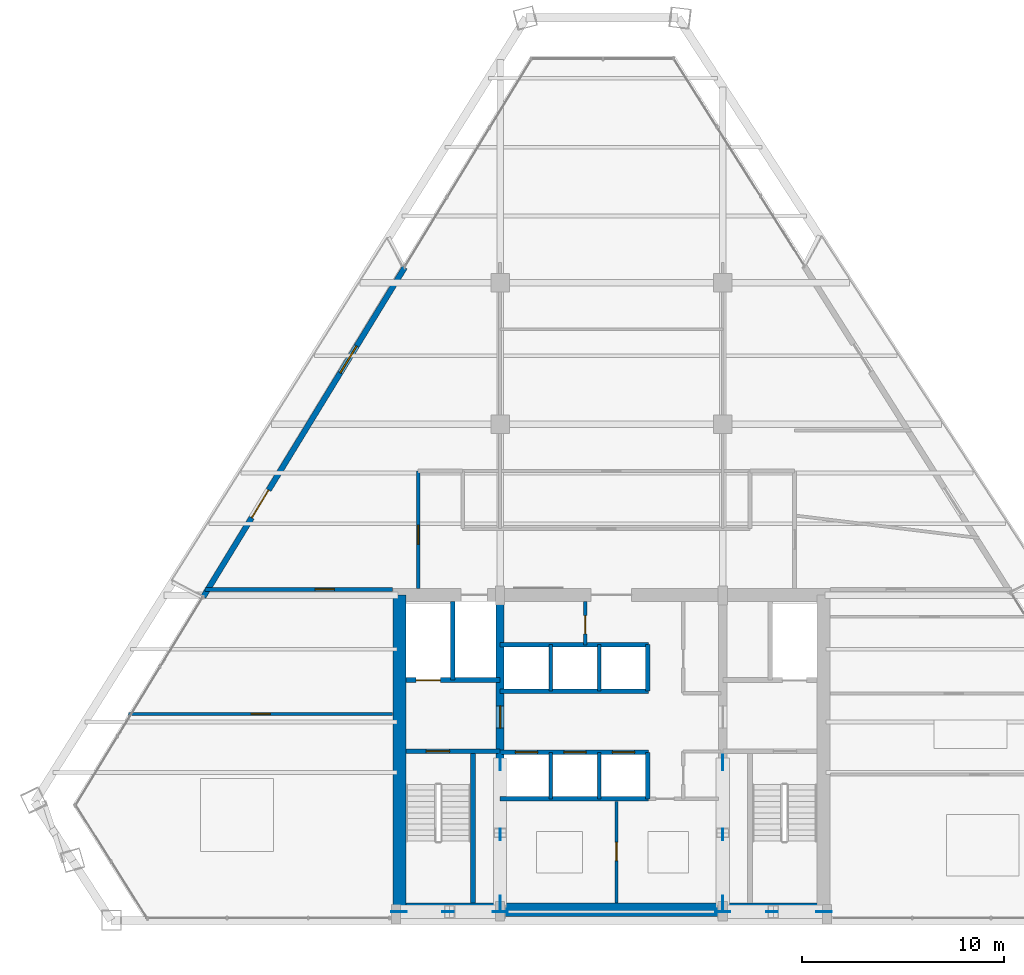
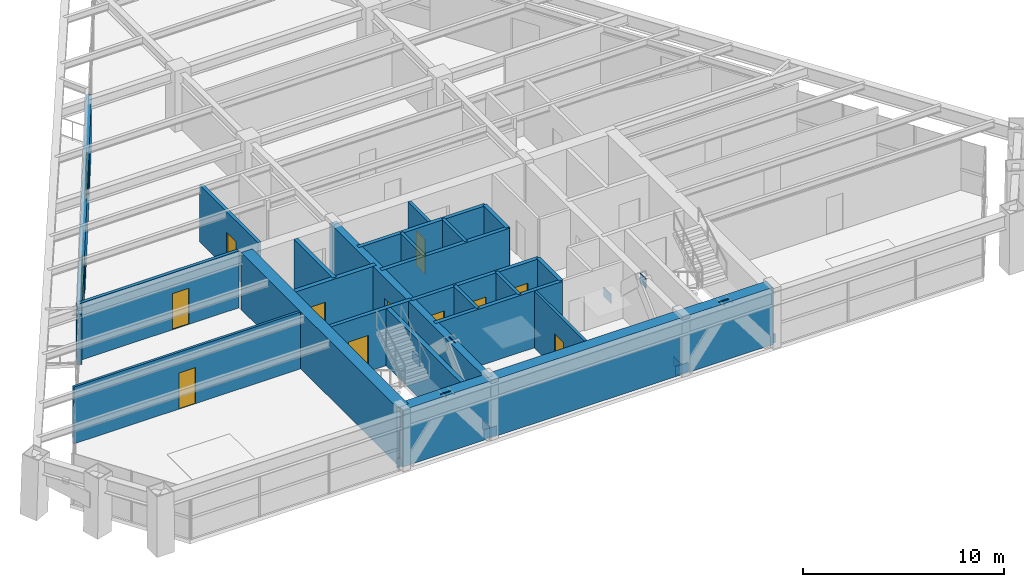
# One storey, part 9 of 13: 23 walls, 12 doors, 12 plates, 1 window, 13 openings.
"""IFC4 building model written with IfcOpenShell, lengths in metres."""

from ifc_helpers import new_model, si_unit, direction, frame, frame_2d, origin, origin_2d, place, context, subcontext, project, spatial, rectangle, extrude, source, transform, mapped, material, layer, layer_set, type_object, type_shapes, element, fill, save


model = new_model("IFC4")

# Units and contexts
model_context = context("Model", 3, precision=1e-05, world=origin(), true_north=direction((0.0, 1.0)))
body_context = subcontext(model_context, "Body", "Model", "MODEL_VIEW")
ifc_project = project(units=[si_unit("LENGTHUNIT", "METRE"), si_unit("AREAUNIT", "SQUARE_METRE"), si_unit("VOLUMEUNIT", "CUBIC_METRE"), si_unit("PLANEANGLEUNIT", "RADIAN"), si_unit("MASSUNIT", "GRAM", prefix="KILO")], contexts=[model_context])

# Site, building, storey
site_placement = place(None, origin())
site = spatial("IfcSite", under=ifc_project, at=site_placement, CompositionType="ELEMENT")
building_placement = place(site_placement, origin())
building = spatial("IfcBuilding", under=site, at=building_placement, Name="Varnakhor Terracotta Tower", CompositionType="ELEMENT")
storey_placement = place(building_placement, frame((0.0, 0.0, 200.60009765625)))
storey = spatial("IfcBuildingStorey", under=building, at=storey_placement, Name="L51", CompositionType="ELEMENT", Elevation=200.60009765625)

# Plates
ifc_material_1 = material(Name="Steel S460", Category="steel")
ifc_layer_1 = layer(ifc_material_1, 0.050048828125, Name="Steel S460")
ifc_layer_set_1 = layer_set([ifc_layer_1], Name="Steel S460")
plate_type = type_object("IfcPlateType", Name="PLT-GUSSET-50", PredefinedType="USERDEFINED", material=ifc_layer_set_1)
shared_shape_1 = source(origin(), body_context, "Body", "SweptSolid", [
    extrude(rectangle(XDim=0.75, YDim=0.0400390625, at=origin_2d()), origin(), (0.0, 0.0, 1.0), 0.550048828125),
])
type_shapes(plate_type, [shared_shape_1])
for number, where, z_axis, x_axis, name in (
    (1, (-10.5, 0.419921875, -0.09521484375), (0.0, 0.0, 1.0), (1.0, 0.0, 0.0), "L51 Core Brace Embed Plate CSWA"),
    (2, (-5.5, 0.419921875, -0.09521484375), (0.0, 0.0, 1.0), (1.0, 0.0, 0.0), "L51 Core Brace Embed Plate CSWB"),
    (3, (5.5, 0.419921875, -0.09521484375), (0.0, 0.0, 1.0), (1.0, 0.0, 0.0), "L51 Core Brace Embed Plate CSEA"),
    (4, (10.5, 0.419921875, -0.09521484375), (0.0, 0.0, 1.0), (1.0, 0.0, 0.0), "L51 Core Brace Embed Plate CSEB"),
    (5, (-5.5, 0.85009765625, -0.09521484375), (0.0, 0.0, 1.0), (0.0, 1.0, 0.0), "L51 Core Brace Embed Plate CWWA"),
    (6, (-5.5, 7.800048828125, -0.09521484375), (0.0, 0.0, 1.0), (0.0, 1.0, 0.0), "L51 Core Brace Embed Plate CWWB"),
    (7, (5.5, 0.85009765625, -0.09521484375), (0.0, 0.0, 1.0), (0.0, 1.0, 0.0), "L51 Core Brace Embed Plate CWEA"),
    (8, (5.5, 7.800048828125, -0.09521484375), (0.0, 0.0, 1.0), (0.0, 1.0, 0.0), "L51 Core Brace Embed Plate CWEB"),
):
    element("IfcPlate", number, at=place(storey_placement, frame(where, z_axis=z_axis, x_axis=x_axis)), inside=storey, type_object=plate_type, Name=name, ObjectType="GUSSET PLATE", PredefinedType="USERDEFINED", context=body_context, shape_type="MappedRepresentation", body=[
        mapped(shared_shape_1, transform((0.0, 0.0, 0.0), scale=1.0)),
    ])
shared_shape_2 = source(origin(), body_context, "Body", "SweptSolid", [
    extrude(rectangle(XDim=0.580078125, YDim=0.0400390625, at=origin_2d()), origin(), (0.0, 0.0, 1.0), 0.580078125),
])
for number, where, z_axis, x_axis, name in (
    (9, (-8.072265625, 0.419921875, 2.93408203125), (0.0, 0.0, 1.0), (1.0, 0.0, 0.0), "L51 Brace End Connection Plate 188"),
    (10, (7.927734375, 0.419921875, 2.93408203125), (0.0, 0.0, 1.0), (1.0, 0.0, 0.0), "L51 Brace End Connection Plate 189"),
    (11, (-5.5, 4.23828125, 2.947021484375), (0.0, 0.0, 1.0), (0.0, 1.0, 0.0), "L51 Brace End Connection Plate 190"),
    (12, (5.5, 4.23828125, 2.947021484375), (0.0, 0.0, 1.0), (0.0, 1.0, 0.0), "L51 Brace End Connection Plate 191"),
):
    element("IfcPlate", number, at=place(storey_placement, frame(where, z_axis=z_axis, x_axis=x_axis)), inside=storey, type_object=plate_type, Name=name, ObjectType="GUSSET PLATE", PredefinedType="USERDEFINED", context=body_context, shape_type="MappedRepresentation", body=[
        mapped(shared_shape_2, transform((0.0, 0.0, 0.0), scale=1.0)),
    ])

# Walls
ifc_material_2 = material(Name="Concrete C50/60", Category="concrete")
ifc_layer_2 = layer(ifc_material_2, 0.64990234375, Name="Concrete C50/60")
ifc_layer_set_2 = layer_set([ifc_layer_2], Name="Concrete C50/60")
wall_type_1 = type_object("IfcWallType", Name="WAL-CORE-650", PredefinedType="SHEAR", material=ifc_layer_set_2)
wall_1_placement = place(storey_placement, frame((-10.64990234375, 0.52490234375, 0.0), z_axis=(0.0, 0.0, 1.0), x_axis=(1.0, 0.0, 0.0)))
element("IfcWall", 13, at=wall_1_placement, inside=storey, type_object=wall_type_1, Name="L51 South Core Shear Wall", PredefinedType="SHEAR", context=body_context, shape_type="SweptSolid", body=[
    extrude(rectangle(XDim=21.2998046875, YDim=0.64990234375, at=frame_2d((10.64990234375, 0.0))), origin(), (0.0, 0.0, 1.0), 3.469970703125),
])
wall_2_placement = place(storey_placement, frame((-10.47509765625, 0.52490234375, 0.0), z_axis=(0.0, 0.0, 1.0), x_axis=(0.0, 1.0, 0.0)))
element("IfcWall", 14, at=wall_2_placement, inside=storey, type_object=wall_type_1, Name="L51 West Core Shear Wall", PredefinedType="SHEAR", context=body_context, shape_type="SweptSolid", body=[
    extrude(rectangle(XDim=15.550048828125, YDim=0.64990234375, at=frame_2d((7.77490234375, 0.0))), origin(), (0.0, 0.0, 1.0), 3.469970703125),
])

# Wall, opening, door
ifc_layer_3 = layer(ifc_material_2, 0.39990234375, Name="Concrete C50/60")
ifc_layer_set_3 = layer_set([ifc_layer_3], Name="Concrete C50/60")
wall_type_2 = type_object("IfcWallType", Name="WAL-CORE-WEB-400", PredefinedType="SHEAR", material=ifc_layer_set_3)
wall_3_placement = place(storey_placement, frame((-5.5, 0.52490234375, 0.0), z_axis=(0.0, 0.0, 1.0), x_axis=(0.0, 1.0, 0.0)))
wall_3 = element("IfcWall", 15, at=wall_3_placement, inside=storey, type_object=wall_type_2, Name="L51 West Core Web Shear Wall", PredefinedType="SHEAR", context=body_context, shape_type="SweptSolid", body=[
    extrude(rectangle(XDim=15.550048828125, YDim=0.39990234375, at=frame_2d((7.77490234375, 0.0))), origin(), (0.0, 0.0, 1.0), 3.469970703125),
])
opening_1_placement = place(wall_3_placement, frame((8.97509765625, 0.0, 0.0)))
opening_1 = element("IfcOpeningElement", 16, at=opening_1_placement, cuts=wall_3, Name="Opening DR-25", PredefinedType="OPENING", context=body_context, shape_type="SweptSolid", body=[
    extrude(rectangle(XDim=1.10009765625, YDim=2.199951171875, at=frame_2d((0.550048828125, 1.10009765625))), frame((0.0, 0.2099609375, 0.0), z_axis=(0.0, -1.0, 0.0), x_axis=(1.0, 0.0, 0.0)), (0.0, 0.0, 1.0), 0.419921875),
])
ifc_material_3 = material(Name="Firefighting Lobby Self-Closing Fire Door", Category="steel")
door_type_1 = type_object("IfcDoorType", Name="DR-FFL-1100X2200", OperationType="NOTDEFINED", PredefinedType="DOOR", material=ifc_material_3)
shared_shape_3 = source(origin(), body_context, "Body", "SweptSolid", [
    extrude(rectangle(XDim=1.10009765625, YDim=2.199951171875, at=frame_2d((0.550048828125, 1.10009765625))), frame((0.0, 0.02490234375, 0.0), z_axis=(0.0, -1.0, 0.0), x_axis=(1.0, 0.0, 0.0)), (0.0, 0.0, 1.0), 0.050048828125),
])
type_shapes(door_type_1, [shared_shape_3])
door_1_placement = place(opening_1_placement, origin())
door_1 = element("IfcDoor", 17, at=door_1_placement, inside=storey, type_object=door_type_1, Name="L51 West Firefighting Lobby Door", OperationType="SINGLE_SWING_LEFT", OverallHeight=2.199951171875, OverallWidth=1.10009765625, PredefinedType="DOOR", context=body_context, shape_type="MappedRepresentation", body=[
    mapped(shared_shape_3, transform((0.0, 0.0, 0.0), scale=1.0)),
])
fill(opening_1, door_1)

ifc_material_4 = material(Name="Fire-Rated Gypsum Stud Partition", Category="gypsum")
ifc_layer_4 = layer(ifc_material_4, 0.18505859375, Name="Fire-Rated Gypsum Stud Partition")
ifc_layer_set_4 = layer_set([ifc_layer_4], Name="Fire-Rated Gypsum Stud Partition")
wall_type_3 = type_object("IfcWallType", Name="WAL-CORR-185", PredefinedType="PARTITIONING", material=ifc_layer_set_4)
wall_4_placement = place(storey_placement, frame((-9.550048828125, 16.39990234375, 0.0), z_axis=(0.0, 0.0, 1.0), x_axis=(0.0, 1.0, 0.0)))
wall_4 = element("IfcWall", 18, at=wall_4_placement, inside=storey, type_object=wall_type_3, Name="L51 West Gallery Outer Wall", PredefinedType="PARTITIONING", context=body_context, shape_type="SweptSolid", body=[
    extrude(rectangle(XDim=5.800048828125, YDim=0.18505859375, at=frame_2d((2.89990234375, 0.0))), origin(), (0.0, 0.0, 1.0), 3.4619140625),
])
opening_2_placement = place(wall_4_placement, frame((2.1689453125, 0.0, 0.0)))
opening_2 = element("IfcOpeningElement", 19, at=opening_2_placement, cuts=wall_4, Name="Opening DR-94", PredefinedType="OPENING", context=body_context, shape_type="SweptSolid", body=[
    extrude(rectangle(XDim=0.949951171875, YDim=2.199951171875, at=frame_2d((0.47509765625, 1.10009765625))), frame((0.0, 0.1025390625, 0.0), z_axis=(0.0, -1.0, 0.0), x_axis=(1.0, 0.0, 0.0)), (0.0, 0.0, 1.0), 0.205078125),
])
ifc_material_5 = material(Name="Acoustic Glazed-Vision Timber Office Door", Category="wood")
door_type_2 = type_object("IfcDoorType", Name="DR-OFF-950X2200", OperationType="NOTDEFINED", PredefinedType="DOOR", material=ifc_material_5)
shared_shape_4 = source(origin(), body_context, "Body", "SweptSolid", [
    extrude(rectangle(XDim=0.949951171875, YDim=2.199951171875, at=frame_2d((0.47509765625, 1.10009765625))), frame((0.0, 0.02490234375, 0.0), z_axis=(0.0, -1.0, 0.0), x_axis=(1.0, 0.0, 0.0)), (0.0, 0.0, 1.0), 0.050048828125),
])
type_shapes(door_type_2, [shared_shape_4])
door_2_placement = place(opening_2_placement, origin())
door_2 = element("IfcDoor", 20, at=door_2_placement, inside=storey, type_object=door_type_2, Name="L51 West Wing Door", OperationType="SINGLE_SWING_RIGHT", OverallHeight=2.199951171875, OverallWidth=0.949951171875, PredefinedType="DOOR", context=body_context, shape_type="MappedRepresentation", body=[
    mapped(shared_shape_4, transform((0.0, 0.0, 0.0), scale=1.0)),
])
fill(opening_2, door_2)

wall_5_placement = place(storey_placement, frame((-20.09130859375, 16.35009765625, 0.0), z_axis=(0.0, 0.0, 1.0), x_axis=(1.0, 0.0, 0.0)))
wall_5 = element("IfcWall", 21, at=wall_5_placement, inside=storey, type_object=wall_type_3, Name="L51 South West Entry Wall", PredefinedType="PARTITIONING", context=body_context, shape_type="SweptSolid", body=[
    extrude(rectangle(XDim=9.271240234375, YDim=0.18505859375, at=frame_2d((4.6357421875, 0.0))), origin(), (0.0, 0.0, 1.0), 3.4619140625),
])
opening_3_placement = place(wall_5_placement, frame((5.449462890625, 0.0, 0.0)))
opening_3 = element("IfcOpeningElement", 22, at=opening_3_placement, cuts=wall_5, Name="Opening DR-94", PredefinedType="OPENING", context=body_context, shape_type="SweptSolid", body=[
    extrude(rectangle(XDim=0.949951171875, YDim=2.199951171875, at=frame_2d((0.47509765625, 1.10009765625))), frame((0.0, 0.1025390625, 0.0), z_axis=(0.0, -1.0, 0.0), x_axis=(1.0, 0.0, 0.0)), (0.0, 0.0, 1.0), 0.205078125),
])
door_3_placement = place(opening_3_placement, origin())
door_3 = element("IfcDoor", 23, at=door_3_placement, inside=storey, type_object=door_type_2, Name="L51 SW Suite Door", OperationType="SINGLE_SWING_RIGHT", OverallHeight=2.199951171875, OverallWidth=0.949951171875, PredefinedType="DOOR", context=body_context, shape_type="MappedRepresentation", body=[
    mapped(shared_shape_4, transform((0.0, 0.0, 0.0), scale=1.0)),
])
fill(opening_3, door_3)

# Wall, openings, door, window
ifc_material_6 = material(Name="Extruded Architectural Terracotta Assembly", Category="masonry")
ifc_layer_5 = layer(ifc_material_6, 0.280029296875, Name="Extruded Architectural Terracotta Assembly")
ifc_layer_set_5 = layer_set([ifc_layer_5], Name="Extruded Architectural Terracotta Assembly")
wall_type_4 = type_object("IfcWallType", Name="WAL-EXT-TERRACOTTA-280", PredefinedType="SOLIDWALL", material=ifc_layer_set_5)
wall_6_placement = place(storey_placement, frame((-20.16259765625, 15.984130859375, 0.0), z_axis=(0.0, 0.0, 1.0), x_axis=(0.521623449413, 0.853175818353, 0.0)))
wall_6 = element("IfcWall", 24, at=wall_6_placement, inside=storey, type_object=wall_type_4, Name="L51 W Loggia Insulated Terracotta Wall", PredefinedType="SOLIDWALL", context=body_context, shape_type="SweptSolid", body=[
    extrude(rectangle(XDim=19.072998046875, YDim=0.280029296875, at=frame_2d((9.53662109375, 0.0))), origin(), (0.0, 0.0, 1.0), 3.0498046875),
])
opening_4_placement = place(wall_6_placement, frame((4.57763671875, 0.0, 0.0)))
opening_4 = element("IfcOpeningElement", 25, at=opening_4_placement, cuts=wall_6, Name="Opening DR-62", PredefinedType="OPENING", context=body_context, shape_type="SweptSolid", body=[
    extrude(rectangle(XDim=1.60009765625, YDim=2.35009765625, at=frame_2d((0.800048828125, 1.175048828125))), frame((0.0, 0.14990234375, 0.0), z_axis=(0.0, -1.0, 0.0), x_axis=(1.0, 0.0, 0.0)), (0.0, 0.0, 1.0), 0.300048828125),
])
opening_5_placement = place(wall_6_placement, frame((12.9697265625, 0.0, 0.89990234375)))
opening_5 = element("IfcOpeningElement", 26, at=opening_5_placement, cuts=wall_6, Name="Opening WN-57", PredefinedType="OPENING", context=body_context, shape_type="SweptSolid", body=[
    extrude(rectangle(XDim=1.550048828125, YDim=1.85009765625, at=frame_2d((0.77490234375, 0.925048828125))), frame((0.0, 0.14990234375, 0.0), z_axis=(0.0, -1.0, 0.0), x_axis=(1.0, 0.0, 0.0)), (0.0, 0.0, 1.0), 0.300048828125),
])
ifc_material_7 = material(Name="Thermally Broken Sliding Glass Loggia Door", Category="glass")
door_type_3 = type_object("IfcDoorType", Name="DR-EXT-LOGGIA-1600X2350", OperationType="NOTDEFINED", PredefinedType="DOOR", material=ifc_material_7)
shared_shape_5 = source(origin(), body_context, "Body", "SweptSolid", [
    extrude(rectangle(XDim=1.60009765625, YDim=2.35009765625, at=frame_2d((0.800048828125, 1.175048828125))), frame((0.0, 0.02490234375, 0.0), z_axis=(0.0, -1.0, 0.0), x_axis=(1.0, 0.0, 0.0)), (0.0, 0.0, 1.0), 0.050048828125),
])
type_shapes(door_type_3, [shared_shape_5])
door_4_placement = place(opening_4_placement, origin())
door_4 = element("IfcDoor", 27, at=door_4_placement, inside=storey, type_object=door_type_3, Name="L51 W Recessed Loggia Sliding Door", OperationType="SLIDING_TO_LEFT", OverallHeight=2.35009765625, OverallWidth=1.60009765625, PredefinedType="DOOR", context=body_context, shape_type="MappedRepresentation", body=[
    mapped(shared_shape_5, transform((0.0, 0.0, 0.0), scale=1.0)),
])
fill(opening_4, door_4)
ifc_material_8 = material(Name="Solar-Control Low-E Insulated Glass Unit", Category="glass")
window_type = type_object("IfcWindowType", Name="WIN-OFF-1650X2100", PartitioningType="SINGLE_PANEL", PredefinedType="WINDOW", material=ifc_material_8)
shared_shape_6 = source(origin(), body_context, "Body", "SweptSolid", [
    extrude(rectangle(XDim=1.550048828125, YDim=1.85009765625, at=frame_2d((0.77490234375, 0.925048828125))), frame((0.0, 0.030029296875, 0.0), z_axis=(0.0, -1.0, 0.0), x_axis=(1.0, 0.0, 0.0)), (0.0, 0.0, 1.0), 0.06005859375),
])
type_shapes(window_type, [shared_shape_6])
window_placement = place(opening_5_placement, origin())
window = element("IfcWindow", 28, at=window_placement, inside=storey, type_object=window_type, Name="L51 W Facet Punched Window", OverallHeight=1.85009765625, OverallWidth=1.550048828125, PartitioningType="SINGLE_PANEL", PredefinedType="WINDOW", context=body_context, shape_type="MappedRepresentation", body=[
    mapped(shared_shape_6, transform((0.0, 0.0, 0.0), scale=1.0)),
])
fill(opening_5, window)

# Wall, opening, door
ifc_material_9 = material(Name="Concrete C40/50", Category="concrete")
ifc_layer_6 = layer(ifc_material_9, 0.219970703125, Name="Concrete C40/50")
ifc_layer_set_6 = layer_set([ifc_layer_6], Name="Concrete C40/50")
wall_type_5 = type_object("IfcWallType", Name="WAL-FFLOBBY-220", PredefinedType="SOLIDWALL", material=ifc_layer_set_6)
wall_7_placement = place(storey_placement, frame((-5.5, 8.35009765625, 0.0), z_axis=(0.0, 0.0, 1.0), x_axis=(-1.0, 0.0, 0.0)))
wall_7 = element("IfcWall", 29, at=wall_7_placement, inside=storey, type_object=wall_type_5, Name="L51 West Firefighting Lobby Stair Wall", PredefinedType="SOLIDWALL", context=body_context, shape_type="SweptSolid", body=[
    extrude(rectangle(XDim=4.64990234375, YDim=0.219970703125, at=frame_2d((2.324951171875, 0.0))), origin(), (0.0, 0.0, 1.0), 3.469970703125),
])
opening_6_placement = place(wall_7_placement, frame((2.5, 0.0, 0.0)))
opening_6 = element("IfcOpeningElement", 30, at=opening_6_placement, cuts=wall_7, Name="Opening DR-34", PredefinedType="OPENING", context=body_context, shape_type="SweptSolid", body=[
    extrude(rectangle(XDim=1.14990234375, YDim=2.199951171875, at=frame_2d((0.574951171875, 1.10009765625))), frame((0.0, 0.1201171875, 0.0), z_axis=(0.0, -1.0, 0.0), x_axis=(1.0, 0.0, 0.0)), (0.0, 0.0, 1.0), 0.239990234375),
])
ifc_material_10 = material(Name="Self-Closing Smoke-Sealed Steel Fire Door", Category="steel")
door_type_4 = type_object("IfcDoorType", Name="DR-STAIR-1150X2200", OperationType="NOTDEFINED", PredefinedType="DOOR", material=ifc_material_10)
shared_shape_7 = source(origin(), body_context, "Body", "SweptSolid", [
    extrude(rectangle(XDim=1.14990234375, YDim=2.199951171875, at=frame_2d((0.574951171875, 1.10009765625))), frame((0.0, 0.02490234375, 0.0), z_axis=(0.0, -1.0, 0.0), x_axis=(1.0, 0.0, 0.0)), (0.0, 0.0, 1.0), 0.050048828125),
])
type_shapes(door_type_4, [shared_shape_7])
door_5_placement = place(opening_6_placement, origin())
door_5 = element("IfcDoor", 31, at=door_5_placement, inside=storey, type_object=door_type_4, Name="L51 Exit Stair ST-1 Fire Door", OperationType="SINGLE_SWING_RIGHT", OverallHeight=2.199951171875, OverallWidth=1.14990234375, PredefinedType="DOOR", context=body_context, shape_type="MappedRepresentation", body=[
    mapped(shared_shape_7, transform((0.0, 0.0, 0.0), scale=1.0)),
])
fill(opening_6, door_5)

ifc_material_11 = material(Name="Acoustic Metal-Stud Partition", Category="gypsum")
ifc_layer_7 = layer(ifc_material_11, 0.139892578125, Name="Acoustic Metal-Stud Partition")
ifc_layer_set_7 = layer_set([ifc_layer_7], Name="Acoustic Metal-Stud Partition")
wall_type_6 = type_object("IfcWallType", Name="WAL-PART-140", PredefinedType="PARTITIONING", material=ifc_layer_set_7)
wall_8_placement = place(storey_placement, frame((-23.851318359375, 10.199951171875, 0.0), z_axis=(0.0, 0.0, 1.0), x_axis=(1.0, 0.0, 0.0)))
wall_8 = element("IfcWall", 32, at=wall_8_placement, inside=storey, type_object=wall_type_6, Name="L51 West Wing Cut 1", PredefinedType="PARTITIONING", context=body_context, shape_type="SweptSolid", body=[
    extrude(rectangle(XDim=13.03125, YDim=0.139892578125, at=frame_2d((6.515625, 0.0))), origin(), (0.0, 0.0, 1.0), 3.4619140625),
])
opening_7_placement = place(wall_8_placement, frame((6.0458984375, 0.0, 0.0)))
opening_7 = element("IfcOpeningElement", 33, at=opening_7_placement, cuts=wall_8, Name="Opening DR-94", PredefinedType="OPENING", context=body_context, shape_type="SweptSolid", body=[
    extrude(rectangle(XDim=0.949951171875, YDim=2.199951171875, at=frame_2d((0.47509765625, 1.10009765625))), frame((0.0, 0.080078125, 0.0), z_axis=(0.0, -1.0, 0.0), x_axis=(1.0, 0.0, 0.0)), (0.0, 0.0, 1.0), 0.159912109375),
])
door_6_placement = place(opening_7_placement, origin())
door_6 = element("IfcDoor", 34, at=door_6_placement, inside=storey, type_object=door_type_2, Name="L51 Quiet Study Room Door", OperationType="SINGLE_SWING_RIGHT", OverallHeight=2.199951171875, OverallWidth=0.949951171875, PredefinedType="DOOR", context=body_context, shape_type="MappedRepresentation", body=[
    mapped(shared_shape_4, transform((0.0, 0.0, 0.0), scale=1.0)),
])
fill(opening_7, door_6)

# Walls
ifc_layer_8 = layer(ifc_material_9, 0.179931640625, Name="Concrete C40/50")
ifc_layer_set_8 = layer_set([ifc_layer_8], Name="Concrete C40/50")
wall_type_7 = type_object("IfcWallType", Name="WAL-SHAFT-180", PredefinedType="SOLIDWALL", material=ifc_layer_set_8)
for number, where, z_axis, x_axis, name in (
    (35, (-3.0, 6.0, 0.0), (0.0, 0.0, 1.0), (0.0, 1.0, 0.0), "L51 PL-2A Divider"),
    (36, (-0.60009765625, 6.0, 0.0), (0.0, 0.0, 1.0), (0.0, 1.0, 0.0), "L51 PL-2B Divider"),
    (37, (-3.0, 11.320068359375, 0.0), (0.0, 0.0, 1.0), (0.0, 1.0, 0.0), "L51 PL-3A Divider"),
    (38, (-0.60009765625, 11.320068359375, 0.0), (0.0, 0.0, 1.0), (0.0, 1.0, 0.0), "L51 PL-3B Divider"),
):
    element("IfcWall", number, at=place(storey_placement, frame(where, z_axis=z_axis, x_axis=x_axis)), inside=storey, type_object=wall_type_7, Name=name, PredefinedType="SOLIDWALL", context=body_context, shape_type="SweptSolid", body=[
        extrude(rectangle(XDim=2.300048828125, YDim=0.179931640625, at=frame_2d((1.14990234375, 0.0))), origin(), (0.0, 0.0, 1.0), 3.469970703125),
    ])
ifc_layer_9 = layer(ifc_material_9, 0.219970703125, Name="Concrete C40/50")
ifc_layer_set_9 = layer_set([ifc_layer_9], Name="Concrete C40/50")
wall_type_8 = type_object("IfcWallType", Name="WAL-SHAFT-220", PredefinedType="SOLIDWALL", material=ifc_layer_set_9)
wall_9_placement = place(storey_placement, frame((-7.840087890625, 11.8701171875, 0.0), z_axis=(0.0, 0.0, 1.0), x_axis=(0.0, 1.0, 0.0)))
element("IfcWall", 39, at=wall_9_placement, inside=storey, type_object=wall_type_8, Name="L51 Lift FFL-1 and SVL-1 Divider Wall", PredefinedType="SOLIDWALL", context=body_context, shape_type="SweptSolid", body=[
    extrude(rectangle(XDim=3.8798828125, YDim=0.219970703125, at=frame_2d((1.93994140625, 0.0))), origin(), (0.0, 0.0, 1.0), 3.469970703125),
])
wall_10_placement = place(storey_placement, frame((-5.5, 6.0, 0.0), z_axis=(0.0, 0.0, 1.0), x_axis=(1.0, 0.0, 0.0)))
element("IfcWall", 40, at=wall_10_placement, inside=storey, type_object=wall_type_8, Name="L51 Bank 2 South Shaft Wall", PredefinedType="SOLIDWALL", context=body_context, shape_type="SweptSolid", body=[
    extrude(rectangle(XDim=7.320068359375, YDim=0.219970703125, at=frame_2d((3.66015625, 0.0))), origin(), (0.0, 0.0, 1.0), 3.469970703125),
])

# Wall, openings, doors
wall_11_placement = place(storey_placement, frame((-5.5, 8.300048828125, 0.0), z_axis=(0.0, 0.0, 1.0), x_axis=(1.0, 0.0, 0.0)))
wall_11 = element("IfcWall", 41, at=wall_11_placement, inside=storey, type_object=wall_type_8, Name="L51 Bank 2 North Shaft Wall", PredefinedType="SOLIDWALL", context=body_context, shape_type="SweptSolid", body=[
    extrude(rectangle(XDim=7.320068359375, YDim=0.219970703125, at=frame_2d((3.66015625, 0.0))), origin(), (0.0, 0.0, 1.0), 3.469970703125),
])
opening_8_placement = place(wall_11_placement, frame((0.75, 0.0, 0.0)))
opening_8 = element("IfcOpeningElement", 42, at=opening_8_placement, cuts=wall_11, Name="Opening LD-01", PredefinedType="OPENING", context=body_context, shape_type="SweptSolid", body=[
    extrude(rectangle(XDim=1.10009765625, YDim=2.199951171875, at=frame_2d((0.550048828125, 1.10009765625))), frame((0.0, 0.1201171875, 0.0), z_axis=(0.0, -1.0, 0.0), x_axis=(1.0, 0.0, 0.0)), (0.0, 0.0, 1.0), 0.239990234375),
])
opening_9_placement = place(wall_11_placement, frame((3.14990234375, 0.0, 0.0)))
opening_9 = element("IfcOpeningElement", 43, at=opening_9_placement, cuts=wall_11, Name="Opening LD-01", PredefinedType="OPENING", context=body_context, shape_type="SweptSolid", body=[
    extrude(rectangle(XDim=1.10009765625, YDim=2.199951171875, at=frame_2d((0.550048828125, 1.10009765625))), frame((0.0, 0.1201171875, 0.0), z_axis=(0.0, -1.0, 0.0), x_axis=(1.0, 0.0, 0.0)), (0.0, 0.0, 1.0), 0.239990234375),
])
opening_10_placement = place(wall_11_placement, frame((5.550048828125, 0.0, 0.0)))
opening_10 = element("IfcOpeningElement", 44, at=opening_10_placement, cuts=wall_11, Name="Opening LD-01", PredefinedType="OPENING", context=body_context, shape_type="SweptSolid", body=[
    extrude(rectangle(XDim=1.10009765625, YDim=2.199951171875, at=frame_2d((0.550048828125, 1.10009765625))), frame((0.0, 0.1201171875, 0.0), z_axis=(0.0, -1.0, 0.0), x_axis=(1.0, 0.0, 0.0)), (0.0, 0.0, 1.0), 0.239990234375),
])
ifc_material_12 = material(Name="Brushed Stainless Steel Sliding Lift Landing Door", Category="steel")
door_type_5 = type_object("IfcDoorType", Name="LD-PASS-1100X2200", OperationType="NOTDEFINED", PredefinedType="DOOR", material=ifc_material_12)
shared_shape_8 = source(origin(), body_context, "Body", "SweptSolid", [
    extrude(rectangle(XDim=1.10009765625, YDim=2.199951171875, at=frame_2d((0.550048828125, 1.10009765625))), frame((0.0, 0.02490234375, 0.0), z_axis=(0.0, -1.0, 0.0), x_axis=(1.0, 0.0, 0.0)), (0.0, 0.0, 1.0), 0.050048828125),
])
type_shapes(door_type_5, [shared_shape_8])
door_7_placement = place(opening_8_placement, origin())
door_7 = element("IfcDoor", 45, at=door_7_placement, inside=storey, type_object=door_type_5, Name="L51 Passenger Lift PL-2A Landing Door", OperationType="SLIDING_TO_LEFT", OverallHeight=2.199951171875, OverallWidth=1.10009765625, PredefinedType="DOOR", context=body_context, shape_type="MappedRepresentation", body=[
    mapped(shared_shape_8, transform((0.0, 0.0, 0.0), scale=1.0)),
])
fill(opening_8, door_7)
door_8_placement = place(opening_9_placement, origin())
door_8 = element("IfcDoor", 46, at=door_8_placement, inside=storey, type_object=door_type_5, Name="L51 Passenger Lift PL-2B Landing Door", OperationType="SLIDING_TO_LEFT", OverallHeight=2.199951171875, OverallWidth=1.10009765625, PredefinedType="DOOR", context=body_context, shape_type="MappedRepresentation", body=[
    mapped(shared_shape_8, transform((0.0, 0.0, 0.0), scale=1.0)),
])
fill(opening_9, door_8)
door_9_placement = place(opening_10_placement, origin())
door_9 = element("IfcDoor", 47, at=door_9_placement, inside=storey, type_object=door_type_5, Name="L51 Passenger Lift PL-2C Landing Door", OperationType="SLIDING_TO_LEFT", OverallHeight=2.199951171875, OverallWidth=1.10009765625, PredefinedType="DOOR", context=body_context, shape_type="MappedRepresentation", body=[
    mapped(shared_shape_8, transform((0.0, 0.0, 0.0), scale=1.0)),
])
fill(opening_10, door_9)

# Walls
wall_12_placement = place(storey_placement, frame((1.800048828125, 6.0, 0.0), z_axis=(0.0, 0.0, 1.0), x_axis=(0.0, 1.0, 0.0)))
element("IfcWall", 48, at=wall_12_placement, inside=storey, type_object=wall_type_8, Name="L51 Bank 2 East Shaft Wall", PredefinedType="SOLIDWALL", context=body_context, shape_type="SweptSolid", body=[
    extrude(rectangle(XDim=2.300048828125, YDim=0.219970703125, at=frame_2d((1.14990234375, 0.0))), origin(), (0.0, 0.0, 1.0), 3.469970703125),
])
for number, where, z_axis, x_axis, name in (
    (49, (-5.5, 11.320068359375, 0.0), (0.0, 0.0, 1.0), (1.0, 0.0, 0.0), "L51 Bank 3 South Shaft Wall"),
    (50, (-5.5, 13.6201171875, 0.0), (0.0, 0.0, 1.0), (1.0, 0.0, 0.0), "L51 Bank 3 North Shaft Wall"),
):
    element("IfcWall", number, at=place(storey_placement, frame(where, z_axis=z_axis, x_axis=x_axis)), inside=storey, type_object=wall_type_8, Name=name, PredefinedType="SOLIDWALL", context=body_context, shape_type="SweptSolid", body=[
        extrude(rectangle(XDim=7.320068359375, YDim=0.219970703125, at=frame_2d((3.66015625, 0.0))), origin(), (0.0, 0.0, 1.0), 3.469970703125),
    ])
wall_13_placement = place(storey_placement, frame((1.800048828125, 11.320068359375, 0.0), z_axis=(0.0, 0.0, 1.0), x_axis=(0.0, 1.0, 0.0)))
element("IfcWall", 51, at=wall_13_placement, inside=storey, type_object=wall_type_8, Name="L51 Bank 3 East Shaft Wall", PredefinedType="SOLIDWALL", context=body_context, shape_type="SweptSolid", body=[
    extrude(rectangle(XDim=2.300048828125, YDim=0.219970703125, at=frame_2d((1.14990234375, 0.0))), origin(), (0.0, 0.0, 1.0), 3.469970703125),
])
ifc_layer_10 = layer(ifc_material_9, 0.25, Name="Concrete C40/50")
ifc_layer_set_10 = layer_set([ifc_layer_10], Name="Concrete C40/50")
wall_type_9 = type_object("IfcWallType", Name="WAL-SHAFT-250", PredefinedType="SOLIDWALL", material=ifc_layer_set_10)
wall_14_placement = place(storey_placement, frame((-6.85009765625, 0.85009765625, 0.0), z_axis=(0.0, 0.0, 1.0), x_axis=(0.0, 1.0, 0.0)))
element("IfcWall", 52, at=wall_14_placement, inside=storey, type_object=wall_type_9, Name="L51 Stair ST-1 Bearing Shaft Wall", PredefinedType="SOLIDWALL", context=body_context, shape_type="SweptSolid", body=[
    extrude(rectangle(XDim=7.5, YDim=0.25, at=frame_2d((3.75, 0.0))), origin(), (0.0, 0.0, 1.0), 3.469970703125),
])

# Wall, opening, door
wall_15_placement = place(storey_placement, frame((-5.5, 11.8701171875, 0.0), z_axis=(0.0, 0.0, 1.0), x_axis=(-1.0, 0.0, 0.0)))
wall_15 = element("IfcWall", 53, at=wall_15_placement, inside=storey, type_object=wall_type_9, Name="L51 Lift FFL-1 Shaft Front Wall", PredefinedType="SOLIDWALL", context=body_context, shape_type="SweptSolid", body=[
    extrude(rectangle(XDim=4.64990234375, YDim=0.25, at=frame_2d((2.324951171875, 0.0))), origin(), (0.0, 0.0, 1.0), 3.469970703125),
])
opening_11_placement = place(wall_15_placement, frame((2.949951171875, 0.0, 0.0)))
opening_11 = element("IfcOpeningElement", 54, at=opening_11_placement, cuts=wall_15, Name="Opening LD-02", PredefinedType="OPENING", context=body_context, shape_type="SweptSolid", body=[
    extrude(rectangle(XDim=1.199951171875, YDim=2.25, at=frame_2d((0.60009765625, 1.125))), frame((0.0, 0.135009765625, 0.0), z_axis=(0.0, -1.0, 0.0), x_axis=(1.0, 0.0, 0.0)), (0.0, 0.0, 1.0), 0.27001953125),
])
ifc_material_13 = material(Name="Firefighting Stretcher Sliding Lift Landing Door", Category="steel")
door_type_6 = type_object("IfcDoorType", Name="LD-FFL-1200X2250", OperationType="NOTDEFINED", PredefinedType="DOOR", material=ifc_material_13)
shared_shape_9 = source(origin(), body_context, "Body", "SweptSolid", [
    extrude(rectangle(XDim=1.199951171875, YDim=2.25, at=frame_2d((0.60009765625, 1.125))), frame((0.0, 0.02490234375, 0.0), z_axis=(0.0, -1.0, 0.0), x_axis=(1.0, 0.0, 0.0)), (0.0, 0.0, 1.0), 0.050048828125),
])
type_shapes(door_type_6, [shared_shape_9])
door_10_placement = place(opening_11_placement, origin())
door_10 = element("IfcDoor", 55, at=door_10_placement, inside=storey, type_object=door_type_6, Name="L51 Firefighting Lift FFL-1 Landing Door", OperationType="SLIDING_TO_LEFT", OverallHeight=2.25, OverallWidth=1.199951171875, PredefinedType="DOOR", context=body_context, shape_type="MappedRepresentation", body=[
    mapped(shared_shape_9, transform((0.0, 0.0, 0.0), scale=1.0)),
])
fill(opening_11, door_10)

ifc_material_14 = material(Name="Acoustic Fire-Rated Partition", Category="gypsum")
ifc_layer_11 = layer(ifc_material_14, 0.139892578125, Name="Acoustic Fire-Rated Partition")
ifc_layer_set_11 = layer_set([ifc_layer_11], Name="Acoustic Fire-Rated Partition")
wall_type_10 = type_object("IfcWallType", Name="WAL-TENANCY-140", PredefinedType="PARTITIONING", material=ifc_layer_set_11)
wall_16_placement = place(storey_placement, frame((0.25, 0.85009765625, 0.0), z_axis=(0.0, 0.0, 1.0), x_axis=(0.0, 1.0, 0.0)))
wall_16 = element("IfcWall", 56, at=wall_16_placement, inside=storey, type_object=wall_type_10, Name="L51 Reclaimed Core Bay Split Wall", PredefinedType="PARTITIONING", context=body_context, shape_type="SweptSolid", body=[
    extrude(rectangle(XDim=5.02978515625, YDim=0.139892578125, at=frame_2d((2.514892578125, 0.0))), origin(), (0.0, 0.0, 1.0), 3.4619140625),
])
opening_12_placement = place(wall_16_placement, frame((2.10009765625, 0.0, 0.0)))
opening_12 = element("IfcOpeningElement", 57, at=opening_12_placement, cuts=wall_16, Name="Opening DR-67", PredefinedType="OPENING", context=body_context, shape_type="SweptSolid", body=[
    extrude(rectangle(XDim=0.89990234375, YDim=2.10009765625, at=frame_2d((0.449951171875, 1.050048828125))), frame((0.0, 0.080078125, 0.0), z_axis=(0.0, -1.0, 0.0), x_axis=(1.0, 0.0, 0.0)), (0.0, 0.0, 1.0), 0.159912109375),
])
ifc_material_15 = material(Name="Steel Service Riser Fire Door", Category="steel")
door_type_7 = type_object("IfcDoorType", Name="DR-RISER-900X2100", OperationType="NOTDEFINED", PredefinedType="DOOR", material=ifc_material_15)
shared_shape_10 = source(origin(), body_context, "Body", "SweptSolid", [
    extrude(rectangle(XDim=0.89990234375, YDim=2.10009765625, at=frame_2d((0.449951171875, 1.050048828125))), frame((0.0, 0.02490234375, 0.0), z_axis=(0.0, -1.0, 0.0), x_axis=(1.0, 0.0, 0.0)), (0.0, 0.0, 1.0), 0.050048828125),
])
type_shapes(door_type_7, [shared_shape_10])
door_11_placement = place(opening_12_placement, origin())
door_11 = element("IfcDoor", 58, at=door_11_placement, inside=storey, type_object=door_type_7, Name="L51 Core Inner Service Door", OperationType="SINGLE_SWING_LEFT", OverallHeight=2.10009765625, OverallWidth=0.89990234375, PredefinedType="DOOR", context=body_context, shape_type="MappedRepresentation", body=[
    mapped(shared_shape_10, transform((0.0, 0.0, 0.0), scale=1.0)),
])
fill(opening_12, door_11)

ifc_layer_12 = layer(ifc_material_14, 0.1650390625, Name="Acoustic Fire-Rated Partition")
ifc_layer_set_12 = layer_set([ifc_layer_12], Name="Acoustic Fire-Rated Partition")
wall_type_11 = type_object("IfcWallType", Name="WAL-TENANCY-165", PredefinedType="PARTITIONING", material=ifc_layer_set_12)
wall_17_placement = place(storey_placement, frame((-1.300048828125, 13.60009765625, 0.0), z_axis=(0.0, 0.0, 1.0), x_axis=(0.0, 1.0, 0.0)))
wall_17 = element("IfcWall", 59, at=wall_17_placement, inside=storey, type_object=wall_type_11, Name="L51 Male Restroom Wall", PredefinedType="PARTITIONING", context=body_context, shape_type="SweptSolid", body=[
    extrude(rectangle(XDim=2.14990234375, YDim=0.1650390625, at=frame_2d((1.074951171875, 0.0))), origin(), (0.0, 0.0, 1.0), 3.4619140625),
])
opening_13_placement = place(wall_17_placement, frame((0.550048828125, 0.0, 0.0)))
opening_13 = element("IfcOpeningElement", 60, at=opening_13_placement, cuts=wall_17, Name="Opening DR-67", PredefinedType="OPENING", context=body_context, shape_type="SweptSolid", body=[
    extrude(rectangle(XDim=0.89990234375, YDim=2.10009765625, at=frame_2d((0.449951171875, 1.050048828125))), frame((0.0, 0.092529296875, 0.0), z_axis=(0.0, -1.0, 0.0), x_axis=(1.0, 0.0, 0.0)), (0.0, 0.0, 1.0), 0.18505859375),
])
door_12_placement = place(opening_13_placement, origin())
door_12 = element("IfcDoor", 61, at=door_12_placement, inside=storey, type_object=door_type_7, Name="L51 Male WC Door", OperationType="SINGLE_SWING_LEFT", OverallHeight=2.10009765625, OverallWidth=0.89990234375, PredefinedType="DOOR", context=body_context, shape_type="MappedRepresentation", body=[
    mapped(shared_shape_10, transform((0.0, 0.0, 0.0), scale=1.0)),
])
fill(opening_13, door_12)

save(model, "model.ifc")
